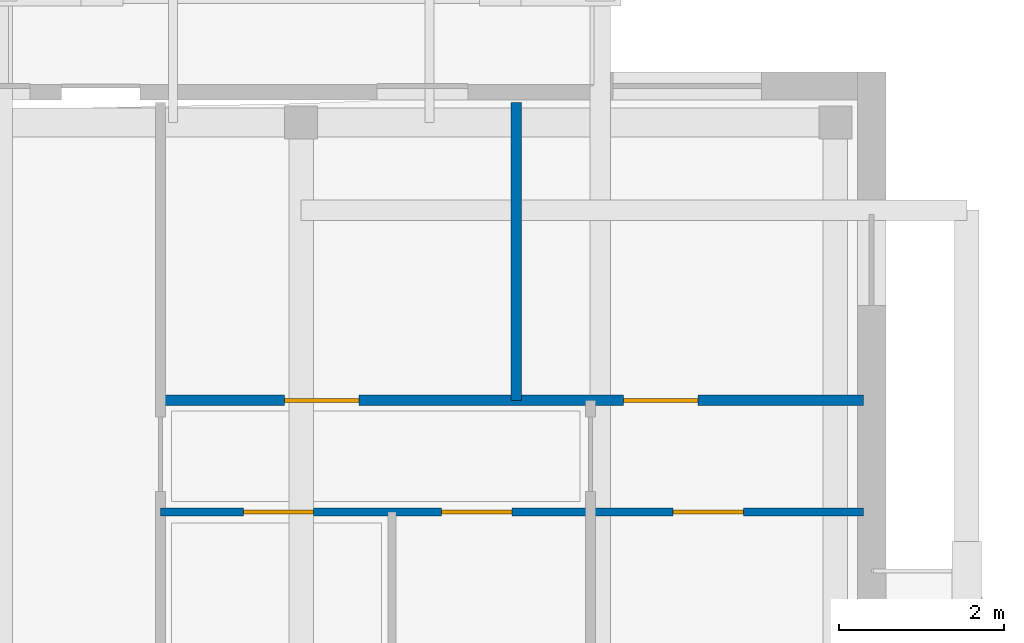
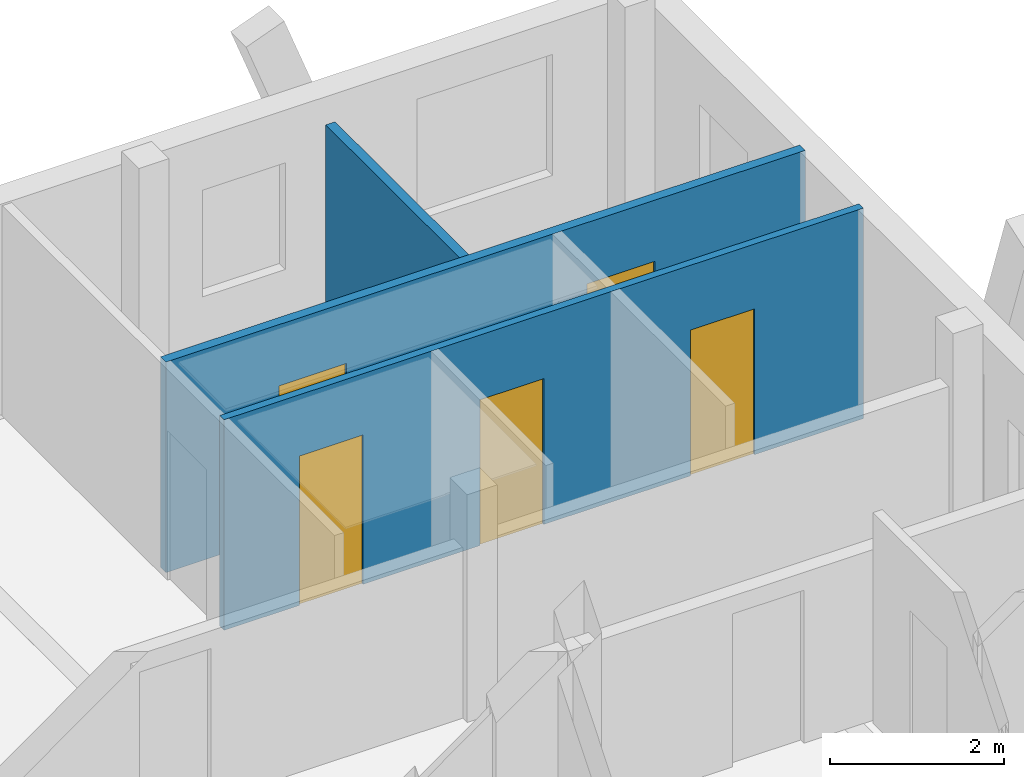
# One storey, part 24 of 33: 5 doors, 3 walls, 5 openings.
"""IFC4 building model written with IfcOpenShell, lengths in metres."""

from ifc_helpers import new_model, si_unit, direction, frame, frame_2d, origin, origin_with_axes, place, context, subcontext, project, spatial, rectangle, extrude, material, layer, layer_set, type_object, element, fill, save


model = new_model("IFC4")

# Units and contexts
model_context = context("Model", 3, precision=1e-05, world=origin(), true_north=direction((0.0, 1.0)))
body_context = subcontext(model_context, "Body", "Model", "MODEL_VIEW")
ifc_project = project(units=[si_unit("LENGTHUNIT", "METRE"), si_unit("AREAUNIT", "SQUARE_METRE"), si_unit("VOLUMEUNIT", "CUBIC_METRE"), si_unit("PLANEANGLEUNIT", "RADIAN"), si_unit("MASSUNIT", "GRAM", prefix="KILO")], contexts=[model_context])

# Site, building, storey
site_placement = place(None, origin())
site = spatial("IfcSite", under=ifc_project, at=site_placement, CompositionType="ELEMENT")
building_placement = place(site_placement, origin())
building = spatial("IfcBuilding", under=site, at=building_placement, Name="Zavelmont Quarter", CompositionType="ELEMENT")
storey_placement = place(building_placement, frame((0.0, 0.0, 30.39990234375)))
storey = spatial("IfcBuildingStorey", under=building, at=storey_placement, Name="L09", CompositionType="ELEMENT", Elevation=30.39990234375)

# Wall
ifc_material_1 = material(Name="Double gypsum board on acoustic steel stud", Category="steel")
ifc_layer_1 = layer(ifc_material_1, 0.125)
ifc_layer_set_1 = layer_set([ifc_layer_1], Name="Double gypsum board on acoustic steel stud")
wall_type_1 = type_object("IfcWallType", Name="IW03", PredefinedType="PARTITIONING", material=ifc_layer_set_1)
wall_1_placement = place(storey_placement, frame((163.699951171875, 112.199951171875, 0.0), z_axis=(0.0, 0.0, 1.0), x_axis=(0.0, 1.0, 0.0)))
element("IfcWall", 1, at=wall_1_placement, inside=storey, type_object=wall_type_1, Name="L09 Partition IW03", PredefinedType="PARTITIONING", context=body_context, shape_type="SweptSolid", body=[
    extrude(rectangle(XDim=3.60009765625, YDim=0.125, at=frame_2d((1.800048828125, 0.0))), origin(), (0.0, 0.0, 1.0), 2.590087890625),
])

# Wall, openings, doors
wall_2_placement = place(storey_placement, frame((159.39990234375, 112.199951171875, 0.0), z_axis=(0.0, 0.0, 1.0), x_axis=(1.0, 0.0, 0.0)))
wall_2 = element("IfcWall", 2, at=wall_2_placement, inside=storey, type_object=wall_type_1, Name="L09 Partition IW03", PredefinedType="PARTITIONING", context=body_context, shape_type="SweptSolid", body=[
    extrude(rectangle(XDim=8.5, YDim=0.125, at=frame_2d((4.25, 0.0))), origin(), (0.0, 0.0, 1.0), 2.960205078125),
])
opening_1_placement = place(wall_2_placement, frame((1.5, 0.0, 0.0)))
opening_1 = element("IfcOpeningElement", 3, at=opening_1_placement, cuts=wall_2, Name="Opening DR05", PredefinedType="OPENING", context=body_context, shape_type="SweptSolid", body=[
    extrude(rectangle(XDim=0.89990234375, YDim=2.10009765625, at=frame_2d((0.449951171875, 1.050048828125))), frame((0.0, 0.074462890625, 0.0), z_axis=(0.0, -1.0, 0.0), x_axis=(1.0, 0.0, 0.0)), (0.0, 0.0, 1.0), 0.14892578125),
])
opening_2_placement = place(wall_2_placement, frame((5.60009765625, 0.0, 0.0)))
opening_2 = element("IfcOpeningElement", 4, at=opening_2_placement, cuts=wall_2, Name="Opening DR05", PredefinedType="OPENING", context=body_context, shape_type="SweptSolid", body=[
    extrude(rectangle(XDim=0.89990234375, YDim=2.10009765625, at=frame_2d((0.449951171875, 1.050048828125))), frame((0.0, 0.074462890625, 0.0), z_axis=(0.0, -1.0, 0.0), x_axis=(1.0, 0.0, 0.0)), (0.0, 0.0, 1.0), 0.14892578125),
])
ifc_material_2 = material(Name="Engineered oak flush interior door")
door_type_1 = type_object("IfcDoorType", Name="DR05", OperationType="NOTDEFINED", PredefinedType="DOOR", material=ifc_material_2)
door_1_placement = place(opening_1_placement, frame((0.89990234375, 0.0, 0.0), z_axis=(0.0, 0.0, 1.0), x_axis=(-1.0, 0.0, 0.0)))
door_1 = element("IfcDoor", 5, at=door_1_placement, inside=storey, type_object=door_type_1, Name="L09 door DR05", OperationType="SINGLE_SWING_RIGHT", OverallHeight=2.10009765625, OverallWidth=0.89990234375, PredefinedType="DOOR", context=body_context, shape_type="SweptSolid", body=[
    extrude(rectangle(XDim=0.89990234375, YDim=2.10009765625, at=frame_2d((0.449951171875, 1.050048828125))), frame((0.0, 0.02490234375, 0.0), z_axis=(0.0, -1.0, 0.0), x_axis=(1.0, 0.0, 0.0)), (0.0, 0.0, 1.0), 0.050048828125),
])
fill(opening_1, door_1)
door_2_placement = place(opening_2_placement, origin_with_axes())
door_2 = element("IfcDoor", 6, at=door_2_placement, inside=storey, type_object=door_type_1, Name="L09 door DR05", OperationType="SINGLE_SWING_LEFT", OverallHeight=2.10009765625, OverallWidth=0.89990234375, PredefinedType="DOOR", context=body_context, shape_type="SweptSolid", body=[
    extrude(rectangle(XDim=0.89990234375, YDim=2.10009765625, at=frame_2d((0.449951171875, 1.050048828125))), frame((0.0, 0.02490234375, 0.0), z_axis=(0.0, -1.0, 0.0), x_axis=(1.0, 0.0, 0.0)), (0.0, 0.0, 1.0), 0.050048828125),
])
fill(opening_2, door_2)

ifc_material_3 = material(Name="Moisture-resistant gypsum board on steel stud", Category="steel")
ifc_layer_2 = layer(ifc_material_3, 0.10009765625)
ifc_layer_set_2 = layer_set([ifc_layer_2], Name="Moisture-resistant gypsum board on steel stud")
wall_type_2 = type_object("IfcWallType", Name="IW04", PredefinedType="PARTITIONING", material=ifc_layer_set_2)
wall_3_placement = place(storey_placement, frame((159.39990234375, 110.85009765625, 0.0), z_axis=(0.0, 0.0, 1.0), x_axis=(1.0, 0.0, 0.0)))
wall_3 = element("IfcWall", 7, at=wall_3_placement, inside=storey, type_object=wall_type_2, Name="L09 Partition IW04", PredefinedType="PARTITIONING", context=body_context, shape_type="SweptSolid", body=[
    extrude(rectangle(XDim=8.5, YDim=0.10009765625, at=frame_2d((4.25, 0.0))), origin(), (0.0, 0.0, 1.0), 2.960205078125),
])
opening_3_placement = place(wall_3_placement, frame((1.0, 0.0, 0.0)))
opening_3 = element("IfcOpeningElement", 8, at=opening_3_placement, cuts=wall_3, Name="Opening DR16", PredefinedType="OPENING", context=body_context, shape_type="SweptSolid", body=[
    extrude(rectangle(XDim=0.85009765625, YDim=2.10009765625, at=frame_2d((0.425048828125, 1.050048828125))), frame((0.0, 0.06201171875, 0.0), z_axis=(0.0, -1.0, 0.0), x_axis=(1.0, 0.0, 0.0)), (0.0, 0.0, 1.0), 0.1240234375),
])
opening_4_placement = place(wall_3_placement, frame((3.39990234375, 0.0, 0.0)))
opening_4 = element("IfcOpeningElement", 9, at=opening_4_placement, cuts=wall_3, Name="Opening DR06", PredefinedType="OPENING", context=body_context, shape_type="SweptSolid", body=[
    extrude(rectangle(XDim=0.85009765625, YDim=2.050048828125, at=frame_2d((0.425048828125, 1.02490234375))), frame((0.0, 0.06201171875, 0.0), z_axis=(0.0, -1.0, 0.0), x_axis=(1.0, 0.0, 0.0)), (0.0, 0.0, 1.0), 0.1240234375),
])
opening_5_placement = place(wall_3_placement, frame((6.199951171875, 0.0, 0.0)))
opening_5 = element("IfcOpeningElement", 10, at=opening_5_placement, cuts=wall_3, Name="Opening DR06", PredefinedType="OPENING", context=body_context, shape_type="SweptSolid", body=[
    extrude(rectangle(XDim=0.85009765625, YDim=2.050048828125, at=frame_2d((0.425048828125, 1.02490234375))), frame((0.0, 0.06201171875, 0.0), z_axis=(0.0, -1.0, 0.0), x_axis=(1.0, 0.0, 0.0)), (0.0, 0.0, 1.0), 0.1240234375),
])
ifc_material_4 = material(Name="Moisture-resistant painted wet-room door")
door_type_2 = type_object("IfcDoorType", Name="DR06", OperationType="NOTDEFINED", PredefinedType="DOOR", material=ifc_material_4)
door_3_placement = place(opening_4_placement, frame((0.85009765625, 0.0, 0.0), z_axis=(0.0, 0.0, 1.0), x_axis=(-1.0, 0.0, 0.0)))
door_3 = element("IfcDoor", 11, at=door_3_placement, inside=storey, type_object=door_type_2, Name="L09 door DR06", OperationType="SINGLE_SWING_RIGHT", OverallHeight=2.050048828125, OverallWidth=0.85009765625, PredefinedType="DOOR", context=body_context, shape_type="SweptSolid", body=[
    extrude(rectangle(XDim=0.85009765625, YDim=2.050048828125, at=frame_2d((0.425048828125, 1.02490234375))), frame((0.0, 0.02490234375, 0.0), z_axis=(0.0, -1.0, 0.0), x_axis=(1.0, 0.0, 0.0)), (0.0, 0.0, 1.0), 0.050048828125),
])
fill(opening_4, door_3)
door_4_placement = place(opening_5_placement, origin_with_axes())
door_4 = element("IfcDoor", 12, at=door_4_placement, inside=storey, type_object=door_type_2, Name="L09 door DR06", OperationType="SINGLE_SWING_LEFT", OverallHeight=2.050048828125, OverallWidth=0.85009765625, PredefinedType="DOOR", context=body_context, shape_type="SweptSolid", body=[
    extrude(rectangle(XDim=0.85009765625, YDim=2.050048828125, at=frame_2d((0.425048828125, 1.02490234375))), frame((0.0, 0.02490234375, 0.0), z_axis=(0.0, -1.0, 0.0), x_axis=(1.0, 0.0, 0.0)), (0.0, 0.0, 1.0), 0.050048828125),
])
fill(opening_5, door_4)
door_type_3 = type_object("IfcDoorType", Name="DR16", OperationType="NOTDEFINED", PredefinedType="DOOR", material=ifc_material_2)
door_5_placement = place(opening_3_placement, origin_with_axes())
door_5 = element("IfcDoor", 13, at=door_5_placement, inside=storey, type_object=door_type_3, Name="L09 door DR16", OperationType="SINGLE_SWING_LEFT", OverallHeight=2.10009765625, OverallWidth=0.85009765625, PredefinedType="DOOR", context=body_context, shape_type="SweptSolid", body=[
    extrude(rectangle(XDim=0.85009765625, YDim=2.10009765625, at=frame_2d((0.425048828125, 1.050048828125))), frame((0.0, 0.02490234375, 0.0), z_axis=(0.0, -1.0, 0.0), x_axis=(1.0, 0.0, 0.0)), (0.0, 0.0, 1.0), 0.050048828125),
])
fill(opening_3, door_5)

save(model, "model.ifc")
